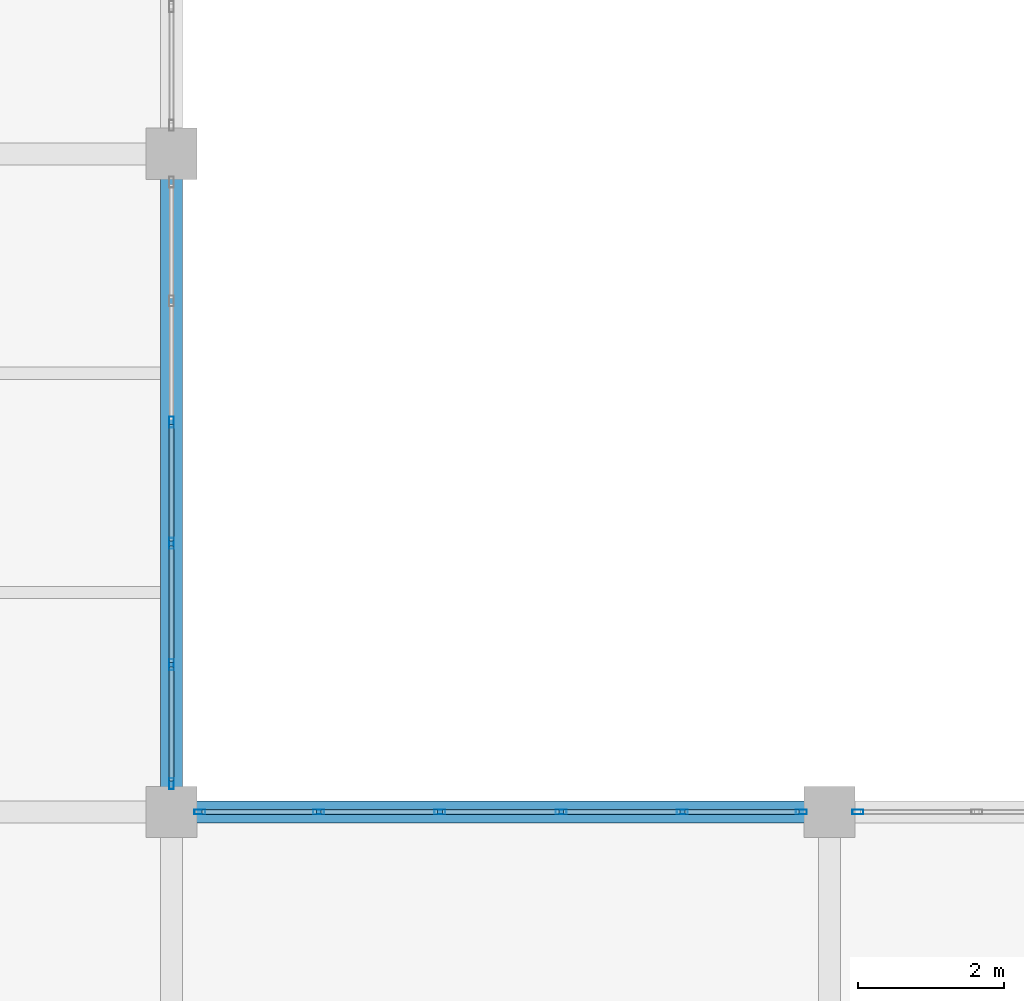
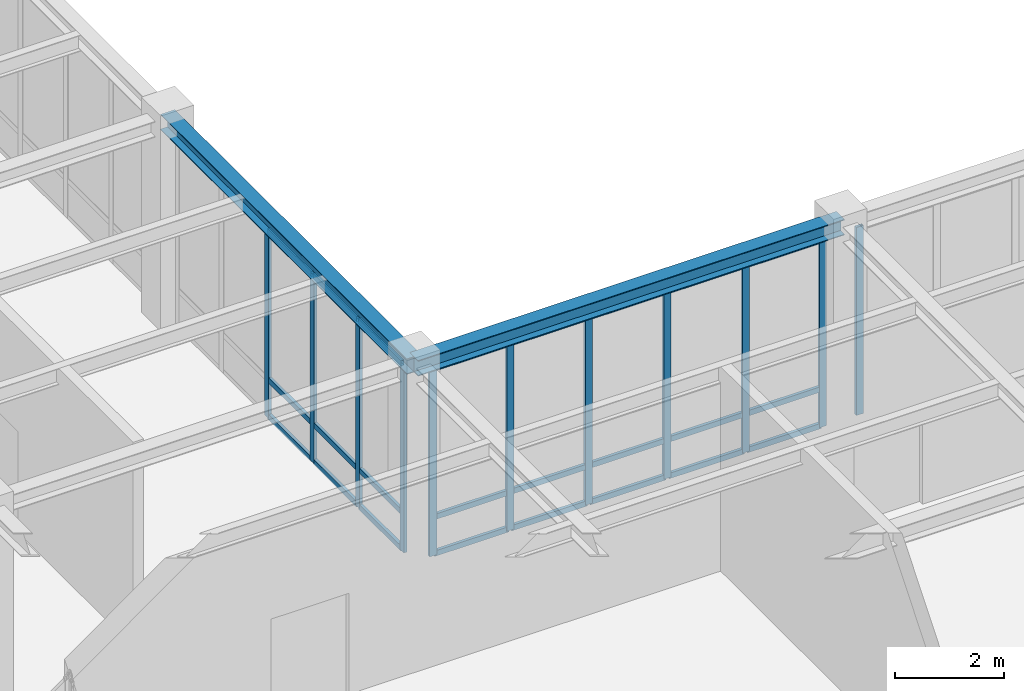
# One storey, part 40 of 92: 35 members, 2 beams, 3 elements without a shape of their own.
"""IFC4 building model written with IfcOpenShell, lengths in metres."""

from ifc_helpers import new_model, si_unit, direction, frame, origin, origin_2d, place, context, subcontext, project, spatial, hollow_rectangle, i_section, extrude, material, material_profile, profile_set, type_object, element, aggregate, save


model = new_model("IFC4")

# Units and contexts
model_context = context("Model", 3, precision=1e-05, world=origin(), true_north=direction((0.0, 1.0)))
body_context = subcontext(model_context, "Body", "Model", "MODEL_VIEW")
ifc_project = project(units=[si_unit("LENGTHUNIT", "METRE"), si_unit("AREAUNIT", "SQUARE_METRE"), si_unit("VOLUMEUNIT", "CUBIC_METRE"), si_unit("PLANEANGLEUNIT", "RADIAN"), si_unit("MASSUNIT", "GRAM", prefix="KILO")], contexts=[model_context])

# Site, building, storey
site_placement = place(None, origin())
site = spatial("IfcSite", under=ifc_project, at=site_placement, CompositionType="ELEMENT")
building_placement = place(site_placement, origin())
building = spatial("IfcBuilding", under=site, at=building_placement, Name="Lykobir Media Centre", CompositionType="ELEMENT")
storey_placement = place(building_placement, frame((0.0, 0.0, 5.39990234375)))
storey = spatial("IfcBuildingStorey", under=building, at=storey_placement, Name="L01", CompositionType="ELEMENT", Elevation=5.39990234375)

# Beam
ifc_material_1 = material(Name="Steel S355", Category="steel")
ifc_material_profile_1 = material_profile(ifc_material_1, i_section(OverallWidth=0.300048828125, OverallDepth=0.35009765625, WebThickness=0.010009765625, FlangeThickness=0.017578125, at=origin_2d()), Name="HEA 360")
ifc_profile_set_1 = profile_set([ifc_material_profile_1], Name="Steel S355")
beam_type_1 = type_object("IfcBeamType", Name="BM-HEA360", PredefinedType="BEAM", material=ifc_profile_set_1)
beam_1_placement = place(storey_placement, frame((99.0, 18.0, 4.385009765625), z_axis=(0.0, 1.0, 0.0), x_axis=(-1.0, 0.0, 0.0)))
element("IfcBeam", 1, at=beam_1_placement, inside=storey, type_object=beam_type_1, Name="Beam BM-L01-0990-0180-0990-0270-978", PredefinedType="BEAM", context=body_context, shape_type="SweptSolid", body=[
    extrude(i_section(OverallWidth=0.300048828125, OverallDepth=0.35009765625, WebThickness=0.010009765625, FlangeThickness=0.017578125, at=origin_2d()), origin(), (0.0, 0.0, 1.0), 9.0),
])

# Curtain wall, members
ifc_material_2 = material(Name="Anodized Aluminium AW-6060", Category="aluminium")
curtain_wall_type = type_object("IfcCurtainWallType", Name="CW-COURT-A", PredefinedType="NOTDEFINED", material=ifc_material_2)
curtain_wall_1_placement = place(storey_placement, origin())
curtain_wall_1 = element("IfcCurtainWall", 2, at=curtain_wall_1_placement, inside=storey, type_object=curtain_wall_type, Name="Curtain wall CW2-L01-0028", PredefinedType="NOTDEFINED")
ifc_material_profile_2 = material_profile(ifc_material_2, hollow_rectangle(XDim=0.06494140625, YDim=0.14990234375, WallThickness=0.00341796875, at=origin_2d()), Name="ALU MULLION 65x150")
ifc_profile_set_2 = profile_set([ifc_material_profile_2], Name="Anodized Aluminium AW-6060")
member_type_1 = type_object("IfcMemberType", Name="CWM-150", PredefinedType="MULLION", material=ifc_profile_set_2)
member_1_placement = place(storey_placement, frame((99.387451171875, 18.0, 0.0), z_axis=(0.0, 0.0, 1.0), x_axis=(0.0, 1.0, 0.0)))
member_1 = element("IfcMember", 3, at=member_1_placement, type_object=member_type_1, Name="CW2-L01-0028 mullion 1", PredefinedType="MULLION", context=body_context, shape_type="SweptSolid", body=[
    extrude(hollow_rectangle(XDim=0.06494140625, YDim=0.14990234375, WallThickness=0.00341796875, at=origin_2d()), origin(), (0.0, 0.0, 1.0), 4.195068359375),
])
member_2_placement = place(storey_placement, frame((101.012939453125, 18.0, 0.0), z_axis=(0.0, 0.0, 1.0), x_axis=(0.0, 1.0, 0.0)))
member_2 = element("IfcMember", 4, at=member_2_placement, type_object=member_type_1, Name="CW2-L01-0028 mullion 2", PredefinedType="MULLION", context=body_context, shape_type="SweptSolid", body=[
    extrude(hollow_rectangle(XDim=0.06494140625, YDim=0.14990234375, WallThickness=0.00341796875, at=origin_2d()), origin(), (0.0, 0.0, 1.0), 4.195068359375),
])
member_3_placement = place(storey_placement, frame((102.6708984375, 18.0, 0.0), z_axis=(0.0, 0.0, 1.0), x_axis=(0.0, 1.0, 0.0)))
member_3 = element("IfcMember", 5, at=member_3_placement, type_object=member_type_1, Name="CW2-L01-0028 mullion 3", PredefinedType="MULLION", context=body_context, shape_type="SweptSolid", body=[
    extrude(hollow_rectangle(XDim=0.06494140625, YDim=0.14990234375, WallThickness=0.00341796875, at=origin_2d()), origin(), (0.0, 0.0, 1.0), 4.195068359375),
])
member_4_placement = place(storey_placement, frame((104.3291015625, 18.0, 0.0), z_axis=(0.0, 0.0, 1.0), x_axis=(0.0, 1.0, 0.0)))
member_4 = element("IfcMember", 6, at=member_4_placement, type_object=member_type_1, Name="CW2-L01-0028 mullion 4", PredefinedType="MULLION", context=body_context, shape_type="SweptSolid", body=[
    extrude(hollow_rectangle(XDim=0.06494140625, YDim=0.14990234375, WallThickness=0.00341796875, at=origin_2d()), origin(), (0.0, 0.0, 1.0), 4.195068359375),
])
member_5_placement = place(storey_placement, frame((105.987060546875, 18.0, 0.0), z_axis=(0.0, 0.0, 1.0), x_axis=(0.0, 1.0, 0.0)))
member_5 = element("IfcMember", 7, at=member_5_placement, type_object=member_type_1, Name="CW2-L01-0028 mullion 5", PredefinedType="MULLION", context=body_context, shape_type="SweptSolid", body=[
    extrude(hollow_rectangle(XDim=0.06494140625, YDim=0.14990234375, WallThickness=0.00341796875, at=origin_2d()), origin(), (0.0, 0.0, 1.0), 4.195068359375),
])
member_6_placement = place(storey_placement, frame((107.612548828125, 18.0, 0.0), z_axis=(0.0, 0.0, 1.0), x_axis=(0.0, 1.0, 0.0)))
member_6 = element("IfcMember", 8, at=member_6_placement, type_object=member_type_1, Name="CW2-L01-0028 mullion 6", PredefinedType="MULLION", context=body_context, shape_type="SweptSolid", body=[
    extrude(hollow_rectangle(XDim=0.06494140625, YDim=0.14990234375, WallThickness=0.00341796875, at=origin_2d()), origin(), (0.0, 0.0, 1.0), 4.195068359375),
])

# Curtain wall, member
curtain_wall_2_placement = place(storey_placement, origin())
curtain_wall_2 = element("IfcCurtainWall", 9, at=curtain_wall_2_placement, inside=storey, type_object=curtain_wall_type, Name="Curtain wall CW2-L01-0029", PredefinedType="NOTDEFINED")
member_7_placement = place(storey_placement, frame((108.387451171875, 18.0, 0.0), z_axis=(0.0, 0.0, 1.0), x_axis=(0.0, 1.0, 0.0)))
member_7 = element("IfcMember", 10, at=member_7_placement, type_object=member_type_1, Name="CW2-L01-0029 mullion 1", PredefinedType="MULLION", context=body_context, shape_type="SweptSolid", body=[
    extrude(hollow_rectangle(XDim=0.06494140625, YDim=0.14990234375, WallThickness=0.00341796875, at=origin_2d()), origin(), (0.0, 0.0, 1.0), 4.195068359375),
])
aggregate(curtain_wall_2, [member_7])

# Curtain wall, members
curtain_wall_3_placement = place(storey_placement, origin())
curtain_wall_3 = element("IfcCurtainWall", 11, at=curtain_wall_3_placement, inside=storey, type_object=curtain_wall_type, Name="Curtain wall CW2-L01-0031", PredefinedType="NOTDEFINED")
member_8_placement = place(storey_placement, frame((99.0, 23.3291015625, 0.0), z_axis=(0.0, 0.0, 1.0), x_axis=(1.0, 0.0, 0.0)))
member_8 = element("IfcMember", 12, at=member_8_placement, type_object=member_type_1, Name="CW2-L01-0031 mullion 3", PredefinedType="MULLION", context=body_context, shape_type="SweptSolid", body=[
    extrude(hollow_rectangle(XDim=0.06494140625, YDim=0.14990234375, WallThickness=0.00341796875, at=origin_2d()), origin(), (0.0, 0.0, 1.0), 4.195068359375),
])
member_9_placement = place(storey_placement, frame((99.0, 21.6708984375, 0.0), z_axis=(0.0, 0.0, 1.0), x_axis=(1.0, 0.0, 0.0)))
member_9 = element("IfcMember", 13, at=member_9_placement, type_object=member_type_1, Name="CW2-L01-0031 mullion 4", PredefinedType="MULLION", context=body_context, shape_type="SweptSolid", body=[
    extrude(hollow_rectangle(XDim=0.06494140625, YDim=0.14990234375, WallThickness=0.00341796875, at=origin_2d()), origin(), (0.0, 0.0, 1.0), 4.195068359375),
])
member_10_placement = place(storey_placement, frame((99.0, 20.012939453125, 0.0), z_axis=(0.0, 0.0, 1.0), x_axis=(1.0, 0.0, 0.0)))
member_10 = element("IfcMember", 14, at=member_10_placement, type_object=member_type_1, Name="CW2-L01-0031 mullion 5", PredefinedType="MULLION", context=body_context, shape_type="SweptSolid", body=[
    extrude(hollow_rectangle(XDim=0.06494140625, YDim=0.14990234375, WallThickness=0.00341796875, at=origin_2d()), origin(), (0.0, 0.0, 1.0), 4.195068359375),
])
member_11_placement = place(storey_placement, frame((99.0, 18.387451171875, 0.0), z_axis=(0.0, 0.0, 1.0), x_axis=(1.0, 0.0, 0.0)))
member_11 = element("IfcMember", 15, at=member_11_placement, type_object=member_type_1, Name="CW2-L01-0031 mullion 6", PredefinedType="MULLION", context=body_context, shape_type="SweptSolid", body=[
    extrude(hollow_rectangle(XDim=0.06494140625, YDim=0.14990234375, WallThickness=0.00341796875, at=origin_2d()), origin(), (0.0, 0.0, 1.0), 4.195068359375),
])

# Member
ifc_material_profile_3 = material_profile(ifc_material_2, hollow_rectangle(XDim=0.06494140625, YDim=0.1201171875, WallThickness=0.0029296875, at=origin_2d()), Name="ALU TRANSOM 65x120")
ifc_profile_set_3 = profile_set([ifc_material_profile_3], Name="Anodized Aluminium AW-6060")
member_type_2 = type_object("IfcMemberType", Name="CWT-120", PredefinedType="USERDEFINED", material=ifc_profile_set_3)
member_12_placement = place(storey_placement, frame((99.419921875, 18.0, 0.03271484375), z_axis=(1.0, 0.0, 0.0), x_axis=(0.0, 1.0, 0.0)))
member_12 = element("IfcMember", 16, at=member_12_placement, type_object=member_type_2, Name="CW2-L01-0028 transom 1.1", ObjectType="TRANSOM", PredefinedType="USERDEFINED", context=body_context, shape_type="SweptSolid", body=[
    extrude(hollow_rectangle(XDim=0.06494140625, YDim=0.1201171875, WallThickness=0.0029296875, at=origin_2d()), origin(), (0.0, 0.0, 1.0), 1.560546875),
])

member_13_placement = place(storey_placement, frame((99.419921875, 18.0, 0.85009765625), z_axis=(1.0, 0.0, 0.0), x_axis=(0.0, 1.0, 0.0)))
member_13 = element("IfcMember", 17, at=member_13_placement, type_object=member_type_2, Name="CW2-L01-0028 transom 1.2", ObjectType="TRANSOM", PredefinedType="USERDEFINED", context=body_context, shape_type="SweptSolid", body=[
    extrude(hollow_rectangle(XDim=0.06494140625, YDim=0.1201171875, WallThickness=0.0029296875, at=origin_2d()), origin(), (0.0, 0.0, 1.0), 1.560546875),
])

member_14_placement = place(storey_placement, frame((99.419921875, 18.0, 4.16259765625), z_axis=(1.0, 0.0, 0.0), x_axis=(0.0, 1.0, 0.0)))
member_14 = element("IfcMember", 18, at=member_14_placement, type_object=member_type_2, Name="CW2-L01-0028 transom 1.3", ObjectType="TRANSOM", PredefinedType="USERDEFINED", context=body_context, shape_type="SweptSolid", body=[
    extrude(hollow_rectangle(XDim=0.06494140625, YDim=0.1201171875, WallThickness=0.0029296875, at=origin_2d()), origin(), (0.0, 0.0, 1.0), 1.560546875),
])

member_15_placement = place(storey_placement, frame((101.04541015625, 18.0, 0.03271484375), z_axis=(1.0, 0.0, 0.0), x_axis=(0.0, 1.0, 0.0)))
member_15 = element("IfcMember", 19, at=member_15_placement, type_object=member_type_2, Name="CW2-L01-0028 transom 2.1", ObjectType="TRANSOM", PredefinedType="USERDEFINED", context=body_context, shape_type="SweptSolid", body=[
    extrude(hollow_rectangle(XDim=0.06494140625, YDim=0.1201171875, WallThickness=0.0029296875, at=origin_2d()), origin(), (0.0, 0.0, 1.0), 1.593017578125),
])

member_16_placement = place(storey_placement, frame((101.04541015625, 18.0, 0.85009765625), z_axis=(1.0, 0.0, 0.0), x_axis=(0.0, 1.0, 0.0)))
member_16 = element("IfcMember", 20, at=member_16_placement, type_object=member_type_2, Name="CW2-L01-0028 transom 2.2", ObjectType="TRANSOM", PredefinedType="USERDEFINED", context=body_context, shape_type="SweptSolid", body=[
    extrude(hollow_rectangle(XDim=0.06494140625, YDim=0.1201171875, WallThickness=0.0029296875, at=origin_2d()), origin(), (0.0, 0.0, 1.0), 1.593017578125),
])

member_17_placement = place(storey_placement, frame((101.04541015625, 18.0, 4.16259765625), z_axis=(1.0, 0.0, 0.0), x_axis=(0.0, 1.0, 0.0)))
member_17 = element("IfcMember", 21, at=member_17_placement, type_object=member_type_2, Name="CW2-L01-0028 transom 2.3", ObjectType="TRANSOM", PredefinedType="USERDEFINED", context=body_context, shape_type="SweptSolid", body=[
    extrude(hollow_rectangle(XDim=0.06494140625, YDim=0.1201171875, WallThickness=0.0029296875, at=origin_2d()), origin(), (0.0, 0.0, 1.0), 1.593017578125),
])

member_18_placement = place(storey_placement, frame((102.70361328125, 18.0, 0.03271484375), z_axis=(1.0, 0.0, 0.0), x_axis=(0.0, 1.0, 0.0)))
member_18 = element("IfcMember", 22, at=member_18_placement, type_object=member_type_2, Name="CW2-L01-0028 transom 3.1", ObjectType="TRANSOM", PredefinedType="USERDEFINED", context=body_context, shape_type="SweptSolid", body=[
    extrude(hollow_rectangle(XDim=0.06494140625, YDim=0.1201171875, WallThickness=0.0029296875, at=origin_2d()), origin(), (0.0, 0.0, 1.0), 1.5927734375),
])

member_19_placement = place(storey_placement, frame((102.70361328125, 18.0, 0.85009765625), z_axis=(1.0, 0.0, 0.0), x_axis=(0.0, 1.0, 0.0)))
member_19 = element("IfcMember", 23, at=member_19_placement, type_object=member_type_2, Name="CW2-L01-0028 transom 3.2", ObjectType="TRANSOM", PredefinedType="USERDEFINED", context=body_context, shape_type="SweptSolid", body=[
    extrude(hollow_rectangle(XDim=0.06494140625, YDim=0.1201171875, WallThickness=0.0029296875, at=origin_2d()), origin(), (0.0, 0.0, 1.0), 1.5927734375),
])

member_20_placement = place(storey_placement, frame((102.70361328125, 18.0, 4.16259765625), z_axis=(1.0, 0.0, 0.0), x_axis=(0.0, 1.0, 0.0)))
member_20 = element("IfcMember", 24, at=member_20_placement, type_object=member_type_2, Name="CW2-L01-0028 transom 3.3", ObjectType="TRANSOM", PredefinedType="USERDEFINED", context=body_context, shape_type="SweptSolid", body=[
    extrude(hollow_rectangle(XDim=0.06494140625, YDim=0.1201171875, WallThickness=0.0029296875, at=origin_2d()), origin(), (0.0, 0.0, 1.0), 1.5927734375),
])

member_21_placement = place(storey_placement, frame((104.361572265625, 18.0, 0.03271484375), z_axis=(1.0, 0.0, 0.0), x_axis=(0.0, 1.0, 0.0)))
member_21 = element("IfcMember", 25, at=member_21_placement, type_object=member_type_2, Name="CW2-L01-0028 transom 4.1", ObjectType="TRANSOM", PredefinedType="USERDEFINED", context=body_context, shape_type="SweptSolid", body=[
    extrude(hollow_rectangle(XDim=0.06494140625, YDim=0.1201171875, WallThickness=0.0029296875, at=origin_2d()), origin(), (0.0, 0.0, 1.0), 1.593017578125),
])

member_22_placement = place(storey_placement, frame((104.361572265625, 18.0, 0.85009765625), z_axis=(1.0, 0.0, 0.0), x_axis=(0.0, 1.0, 0.0)))
member_22 = element("IfcMember", 26, at=member_22_placement, type_object=member_type_2, Name="CW2-L01-0028 transom 4.2", ObjectType="TRANSOM", PredefinedType="USERDEFINED", context=body_context, shape_type="SweptSolid", body=[
    extrude(hollow_rectangle(XDim=0.06494140625, YDim=0.1201171875, WallThickness=0.0029296875, at=origin_2d()), origin(), (0.0, 0.0, 1.0), 1.593017578125),
])

member_23_placement = place(storey_placement, frame((104.361572265625, 18.0, 4.16259765625), z_axis=(1.0, 0.0, 0.0), x_axis=(0.0, 1.0, 0.0)))
member_23 = element("IfcMember", 27, at=member_23_placement, type_object=member_type_2, Name="CW2-L01-0028 transom 4.3", ObjectType="TRANSOM", PredefinedType="USERDEFINED", context=body_context, shape_type="SweptSolid", body=[
    extrude(hollow_rectangle(XDim=0.06494140625, YDim=0.1201171875, WallThickness=0.0029296875, at=origin_2d()), origin(), (0.0, 0.0, 1.0), 1.593017578125),
])

member_24_placement = place(storey_placement, frame((106.01953125, 18.0, 0.03271484375), z_axis=(1.0, 0.0, 0.0), x_axis=(0.0, 1.0, 0.0)))
member_24 = element("IfcMember", 28, at=member_24_placement, type_object=member_type_2, Name="CW2-L01-0028 transom 5.1", ObjectType="TRANSOM", PredefinedType="USERDEFINED", context=body_context, shape_type="SweptSolid", body=[
    extrude(hollow_rectangle(XDim=0.06494140625, YDim=0.1201171875, WallThickness=0.0029296875, at=origin_2d()), origin(), (0.0, 0.0, 1.0), 1.560546875),
])

member_25_placement = place(storey_placement, frame((106.01953125, 18.0, 0.85009765625), z_axis=(1.0, 0.0, 0.0), x_axis=(0.0, 1.0, 0.0)))
member_25 = element("IfcMember", 29, at=member_25_placement, type_object=member_type_2, Name="CW2-L01-0028 transom 5.2", ObjectType="TRANSOM", PredefinedType="USERDEFINED", context=body_context, shape_type="SweptSolid", body=[
    extrude(hollow_rectangle(XDim=0.06494140625, YDim=0.1201171875, WallThickness=0.0029296875, at=origin_2d()), origin(), (0.0, 0.0, 1.0), 1.560546875),
])

member_26_placement = place(storey_placement, frame((106.01953125, 18.0, 4.16259765625), z_axis=(1.0, 0.0, 0.0), x_axis=(0.0, 1.0, 0.0)))
member_26 = element("IfcMember", 30, at=member_26_placement, type_object=member_type_2, Name="CW2-L01-0028 transom 5.3", ObjectType="TRANSOM", PredefinedType="USERDEFINED", context=body_context, shape_type="SweptSolid", body=[
    extrude(hollow_rectangle(XDim=0.06494140625, YDim=0.1201171875, WallThickness=0.0029296875, at=origin_2d()), origin(), (0.0, 0.0, 1.0), 1.560546875),
])

aggregate(curtain_wall_1, [member_1, member_2, member_3, member_4, member_5, member_6, member_12, member_13, member_14, member_15, member_16, member_17, member_18, member_19, member_20, member_21, member_22, member_23, member_24, member_25, member_26])

member_27_placement = place(storey_placement, frame((99.0, 23.29638671875, 0.03271484375), z_axis=(0.0, -1.0, 0.0), x_axis=(1.0, 0.0, 0.0)))
member_27 = element("IfcMember", 31, at=member_27_placement, type_object=member_type_2, Name="CW2-L01-0031 transom 3.1", ObjectType="TRANSOM", PredefinedType="USERDEFINED", context=body_context, shape_type="SweptSolid", body=[
    extrude(hollow_rectangle(XDim=0.06494140625, YDim=0.1201171875, WallThickness=0.0029296875, at=origin_2d()), origin(), (0.0, 0.0, 1.0), 1.5927734375),
])

member_28_placement = place(storey_placement, frame((99.0, 23.29638671875, 0.85009765625), z_axis=(0.0, -1.0, 0.0), x_axis=(1.0, 0.0, 0.0)))
member_28 = element("IfcMember", 32, at=member_28_placement, type_object=member_type_2, Name="CW2-L01-0031 transom 3.2", ObjectType="TRANSOM", PredefinedType="USERDEFINED", context=body_context, shape_type="SweptSolid", body=[
    extrude(hollow_rectangle(XDim=0.06494140625, YDim=0.1201171875, WallThickness=0.0029296875, at=origin_2d()), origin(), (0.0, 0.0, 1.0), 1.5927734375),
])

member_29_placement = place(storey_placement, frame((99.0, 23.29638671875, 4.16259765625), z_axis=(0.0, -1.0, 0.0), x_axis=(1.0, 0.0, 0.0)))
member_29 = element("IfcMember", 33, at=member_29_placement, type_object=member_type_2, Name="CW2-L01-0031 transom 3.3", ObjectType="TRANSOM", PredefinedType="USERDEFINED", context=body_context, shape_type="SweptSolid", body=[
    extrude(hollow_rectangle(XDim=0.06494140625, YDim=0.1201171875, WallThickness=0.0029296875, at=origin_2d()), origin(), (0.0, 0.0, 1.0), 1.5927734375),
])

member_30_placement = place(storey_placement, frame((99.0, 21.638427734375, 0.03271484375), z_axis=(0.0, -1.0, 0.0), x_axis=(1.0, 0.0, 0.0)))
member_30 = element("IfcMember", 34, at=member_30_placement, type_object=member_type_2, Name="CW2-L01-0031 transom 4.1", ObjectType="TRANSOM", PredefinedType="USERDEFINED", context=body_context, shape_type="SweptSolid", body=[
    extrude(hollow_rectangle(XDim=0.06494140625, YDim=0.1201171875, WallThickness=0.0029296875, at=origin_2d()), origin(), (0.0, 0.0, 1.0), 1.593017578125),
])

member_31_placement = place(storey_placement, frame((99.0, 21.638427734375, 0.85009765625), z_axis=(0.0, -1.0, 0.0), x_axis=(1.0, 0.0, 0.0)))
member_31 = element("IfcMember", 35, at=member_31_placement, type_object=member_type_2, Name="CW2-L01-0031 transom 4.2", ObjectType="TRANSOM", PredefinedType="USERDEFINED", context=body_context, shape_type="SweptSolid", body=[
    extrude(hollow_rectangle(XDim=0.06494140625, YDim=0.1201171875, WallThickness=0.0029296875, at=origin_2d()), origin(), (0.0, 0.0, 1.0), 1.593017578125),
])

member_32_placement = place(storey_placement, frame((99.0, 21.638427734375, 4.16259765625), z_axis=(0.0, -1.0, 0.0), x_axis=(1.0, 0.0, 0.0)))
member_32 = element("IfcMember", 36, at=member_32_placement, type_object=member_type_2, Name="CW2-L01-0031 transom 4.3", ObjectType="TRANSOM", PredefinedType="USERDEFINED", context=body_context, shape_type="SweptSolid", body=[
    extrude(hollow_rectangle(XDim=0.06494140625, YDim=0.1201171875, WallThickness=0.0029296875, at=origin_2d()), origin(), (0.0, 0.0, 1.0), 1.593017578125),
])

member_33_placement = place(storey_placement, frame((99.0, 19.98046875, 0.03271484375), z_axis=(0.0, -1.0, 0.0), x_axis=(1.0, 0.0, 0.0)))
member_33 = element("IfcMember", 37, at=member_33_placement, type_object=member_type_2, Name="CW2-L01-0031 transom 5.1", ObjectType="TRANSOM", PredefinedType="USERDEFINED", context=body_context, shape_type="SweptSolid", body=[
    extrude(hollow_rectangle(XDim=0.06494140625, YDim=0.1201171875, WallThickness=0.0029296875, at=origin_2d()), origin(), (0.0, 0.0, 1.0), 1.560546875),
])

member_34_placement = place(storey_placement, frame((99.0, 19.98046875, 0.85009765625), z_axis=(0.0, -1.0, 0.0), x_axis=(1.0, 0.0, 0.0)))
member_34 = element("IfcMember", 38, at=member_34_placement, type_object=member_type_2, Name="CW2-L01-0031 transom 5.2", ObjectType="TRANSOM", PredefinedType="USERDEFINED", context=body_context, shape_type="SweptSolid", body=[
    extrude(hollow_rectangle(XDim=0.06494140625, YDim=0.1201171875, WallThickness=0.0029296875, at=origin_2d()), origin(), (0.0, 0.0, 1.0), 1.560546875),
])

member_35_placement = place(storey_placement, frame((99.0, 19.98046875, 4.16259765625), z_axis=(0.0, -1.0, 0.0), x_axis=(1.0, 0.0, 0.0)))
member_35 = element("IfcMember", 39, at=member_35_placement, type_object=member_type_2, Name="CW2-L01-0031 transom 5.3", ObjectType="TRANSOM", PredefinedType="USERDEFINED", context=body_context, shape_type="SweptSolid", body=[
    extrude(hollow_rectangle(XDim=0.06494140625, YDim=0.1201171875, WallThickness=0.0029296875, at=origin_2d()), origin(), (0.0, 0.0, 1.0), 1.560546875),
])

aggregate(curtain_wall_3, [member_8, member_9, member_10, member_11, member_27, member_28, member_29, member_30, member_31, member_32, member_33, member_34, member_35])

# Beam
ifc_material_profile_4 = material_profile(ifc_material_1, i_section(OverallWidth=0.300048828125, OverallDepth=0.35009765625, WebThickness=0.010009765625, FlangeThickness=0.017578125, at=origin_2d()), Name="HEA 360")
ifc_profile_set_4 = profile_set([ifc_material_profile_4], Name="Steel S355")
beam_type_2 = type_object("IfcBeamType", Name="SP-HEA360", PredefinedType="SPANDREL", material=ifc_profile_set_4)
beam_2_placement = place(storey_placement, frame((99.0, 18.0, 4.385009765625), z_axis=(1.0, 0.0, 0.0), x_axis=(0.0, 1.0, 0.0)))
element("IfcBeam", 40, at=beam_2_placement, inside=storey, type_object=beam_type_2, Name="Beam BM-L01-0990-0180-1080-0180-978", PredefinedType="SPANDREL", context=body_context, shape_type="SweptSolid", body=[
    extrude(i_section(OverallWidth=0.300048828125, OverallDepth=0.35009765625, WebThickness=0.010009765625, FlangeThickness=0.017578125, at=origin_2d()), origin(), (0.0, 0.0, 1.0), 9.0),
])

save(model, "model.ifc")
